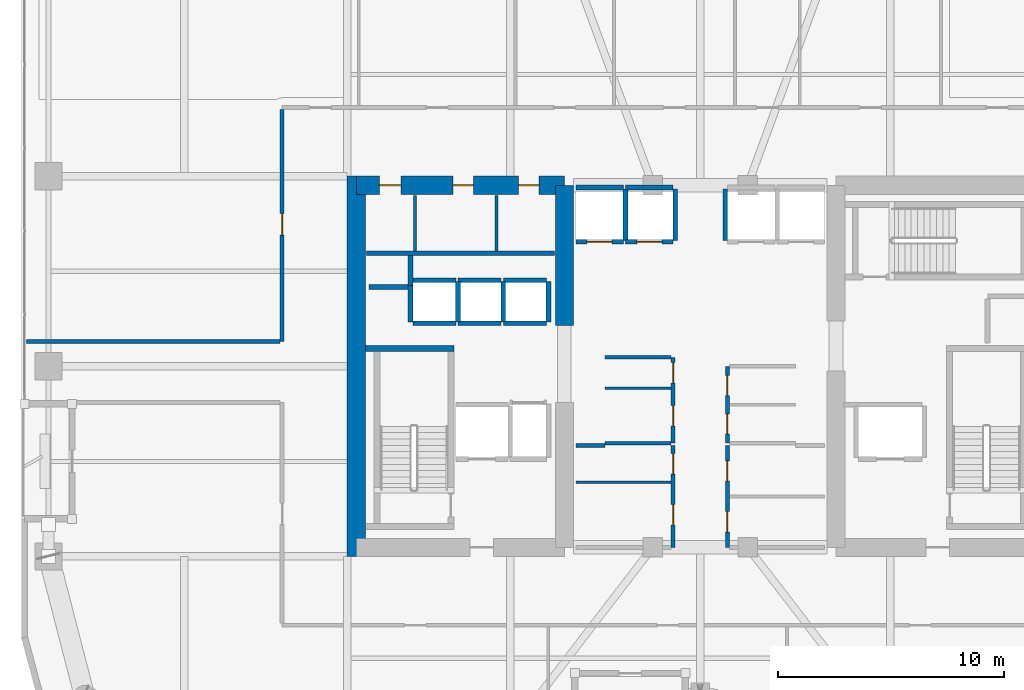
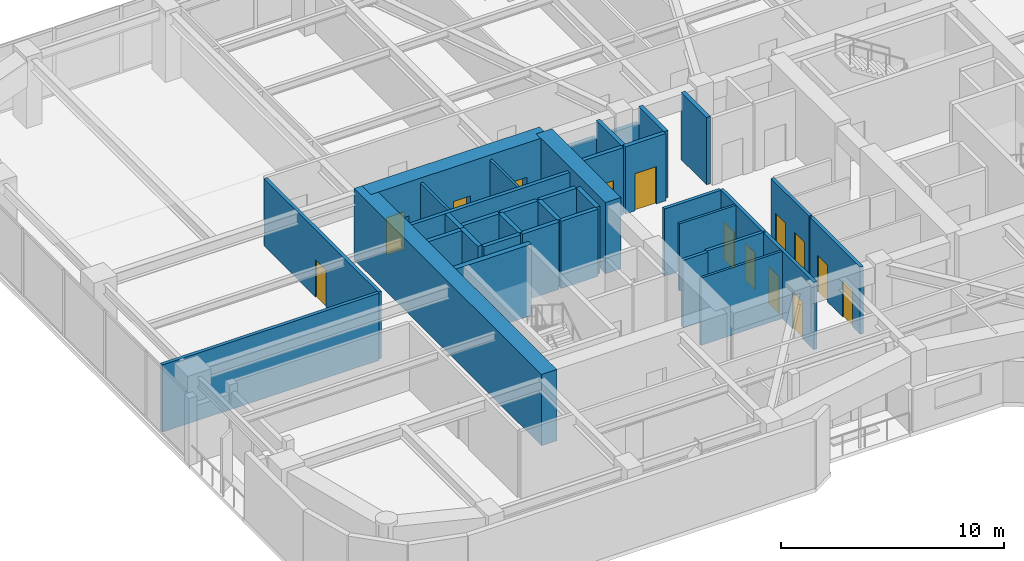
# One storey, part 25 of 30: 37 walls, 14 doors, 14 openings.
"""IFC4 building model written with IfcOpenShell, lengths in metres."""

from ifc_helpers import new_model, si_unit, direction, frame, frame_2d, origin, place, context, subcontext, project, spatial, rectangle, extrude, material, layer, layer_set, type_object, element, fill, save


model = new_model("IFC4")

# Units and contexts
model_context = context("Model", 3, precision=1e-05, world=origin(), true_north=direction((0.0, 1.0)))
body_context = subcontext(model_context, "Body", "Model", "MODEL_VIEW")
ifc_project = project(units=[si_unit("LENGTHUNIT", "METRE"), si_unit("AREAUNIT", "SQUARE_METRE"), si_unit("VOLUMEUNIT", "CUBIC_METRE"), si_unit("PLANEANGLEUNIT", "RADIAN"), si_unit("MASSUNIT", "GRAM", prefix="KILO")], contexts=[model_context])

# Site, building, storey
site_placement = place(None, origin())
site = spatial("IfcSite", under=ifc_project, at=site_placement, CompositionType="ELEMENT")
building_placement = place(site_placement, origin())
building = spatial("IfcBuilding", under=site, at=building_placement, Name="Kiyonajd Concourse Tower", CompositionType="ELEMENT")
storey_placement = place(building_placement, frame((0.0, 0.0, 174.0)))
storey = spatial("IfcBuildingStorey", under=building, at=storey_placement, Name="L44", CompositionType="ELEMENT", Elevation=174.0)

# Walls
ifc_material_1 = material(Name="Concrete C70/85", Category="concrete")
ifc_layer_1 = layer(ifc_material_1, 0.800048828125)
ifc_layer_set_1 = layer_set([ifc_layer_1], Name="Concrete C70/85")
wall_type_1 = type_object("IfcWallType", Name="WL-CORE-800", PredefinedType="SHEAR", material=ifc_layer_set_1)
wall_1_placement = place(storey_placement, frame((32.800048828125, 27.60009765625, 0.0), z_axis=(0.0, 0.0, 1.0), x_axis=(0.0, 1.0, 0.0)))
element("IfcWall", 1, at=wall_1_placement, inside=storey, type_object=wall_type_1, Name="L44 West Core Outer Shear Wall", PredefinedType="SHEAR", context=body_context, shape_type="SweptSolid", body=[
    extrude(rectangle(XDim=16.7998046875, YDim=0.800048828125, at=frame_2d((8.39990234375, 0.0))), origin(), (0.0, 0.0, 1.0), 3.89990234375),
])
wall_2_placement = place(storey_placement, frame((42.0, 37.800048828125, 0.0), z_axis=(0.0, 0.0, 1.0), x_axis=(0.0, 1.0, 0.0)))
element("IfcWall", 2, at=wall_2_placement, inside=storey, type_object=wall_type_1, Name="L44 West Core Inner North Shear Wall", PredefinedType="SHEAR", context=body_context, shape_type="SweptSolid", body=[
    extrude(rectangle(XDim=6.199951171875, YDim=0.800048828125, at=frame_2d((3.10009765625, 0.0))), origin(), (0.0, 0.0, 1.0), 3.89990234375),
])

# Wall, openings, doors
wall_3_placement = place(storey_placement, frame((32.800048828125, 44.0, 0.0), z_axis=(0.0, 0.0, 1.0), x_axis=(1.0, 0.0, 0.0)))
wall_3 = element("IfcWall", 3, at=wall_3_placement, inside=storey, type_object=wall_type_1, Name="L44 West Core North Shear Wall", PredefinedType="SHEAR", context=body_context, shape_type="SweptSolid", body=[
    extrude(rectangle(XDim=9.199951171875, YDim=0.800048828125, at=frame_2d((4.60009765625, 0.0))), origin(), (0.0, 0.0, 1.0), 3.89990234375),
])
opening_1_placement = place(wall_3_placement, frame((1.02490234375, 0.0, 0.0)))
opening_1 = element("IfcOpeningElement", 4, at=opening_1_placement, cuts=wall_3, Name="Opening DI1", PredefinedType="OPENING", context=body_context, shape_type="SweptSolid", body=[
    extrude(rectangle(XDim=0.949951171875, YDim=2.0400390625, at=frame_2d((0.47509765625, 1.02001953125))), frame((0.0, 0.409912109375, 0.0), z_axis=(0.0, -1.0, 0.0), x_axis=(1.0, 0.0, 0.0)), (0.0, 0.0, 1.0), 0.820068359375),
])
opening_2_placement = place(wall_3_placement, frame((4.27490234375, 0.0, 0.0)))
opening_2 = element("IfcOpeningElement", 5, at=opening_2_placement, cuts=wall_3, Name="Opening DI2", PredefinedType="OPENING", context=body_context, shape_type="SweptSolid", body=[
    extrude(rectangle(XDim=0.89990234375, YDim=2.02001953125, at=frame_2d((0.449951171875, 1.010009765625))), frame((0.0, 0.409912109375, 0.0), z_axis=(0.0, -1.0, 0.0), x_axis=(1.0, 0.0, 0.0)), (0.0, 0.0, 1.0), 0.820068359375),
])
opening_3_placement = place(wall_3_placement, frame((7.175048828125, 0.0, 0.0)))
opening_3 = element("IfcOpeningElement", 6, at=opening_3_placement, cuts=wall_3, Name="Opening DI2", PredefinedType="OPENING", context=body_context, shape_type="SweptSolid", body=[
    extrude(rectangle(XDim=0.89990234375, YDim=2.02001953125, at=frame_2d((0.449951171875, 1.010009765625))), frame((0.0, 0.409912109375, 0.0), z_axis=(0.0, -1.0, 0.0), x_axis=(1.0, 0.0, 0.0)), (0.0, 0.0, 1.0), 0.820068359375),
])
ifc_material_2 = material(Name="Natural Oak Acoustic Timber Veneer", Category="wood")
door_type_1 = type_object("IfcDoorType", Name="DR-INT-900", OperationType="NOTDEFINED", PredefinedType="DOOR", material=ifc_material_2)
door_1_placement = place(opening_2_placement, origin())
door_1 = element("IfcDoor", 7, at=door_1_placement, inside=storey, type_object=door_type_1, Name="L44 Male Restroom Door", OperationType="SINGLE_SWING_RIGHT", OverallHeight=2.02001953125, OverallWidth=0.89990234375, PredefinedType="DOOR", context=body_context, shape_type="SweptSolid", body=[
    extrude(rectangle(XDim=0.89990234375, YDim=2.02001953125, at=frame_2d((0.449951171875, 1.010009765625))), frame((0.0, 0.02490234375, 0.0), z_axis=(0.0, -1.0, 0.0), x_axis=(1.0, 0.0, 0.0)), (0.0, 0.0, 1.0), 0.050048828125),
])
fill(opening_2, door_1)
door_2_placement = place(opening_3_placement, origin())
door_2 = element("IfcDoor", 8, at=door_2_placement, inside=storey, type_object=door_type_1, Name="L44 Female Restroom Door", OperationType="SINGLE_SWING_LEFT", OverallHeight=2.02001953125, OverallWidth=0.89990234375, PredefinedType="DOOR", context=body_context, shape_type="SweptSolid", body=[
    extrude(rectangle(XDim=0.89990234375, YDim=2.02001953125, at=frame_2d((0.449951171875, 1.010009765625))), frame((0.0, 0.02490234375, 0.0), z_axis=(0.0, -1.0, 0.0), x_axis=(1.0, 0.0, 0.0)), (0.0, 0.0, 1.0), 0.050048828125),
])
fill(opening_3, door_2)
door_type_2 = type_object("IfcDoorType", Name="DR-INT-950", OperationType="NOTDEFINED", PredefinedType="DOOR", material=ifc_material_2)
door_3_placement = place(opening_1_placement, origin())
door_3 = element("IfcDoor", 9, at=door_3_placement, inside=storey, type_object=door_type_2, Name="L44 Single User Accessible WC Door", OperationType="SINGLE_SWING_LEFT", OverallHeight=2.0400390625, OverallWidth=0.949951171875, PredefinedType="DOOR", context=body_context, shape_type="SweptSolid", body=[
    extrude(rectangle(XDim=0.949951171875, YDim=2.0400390625, at=frame_2d((0.47509765625, 1.02001953125))), frame((0.0, 0.02490234375, 0.0), z_axis=(0.0, -1.0, 0.0), x_axis=(1.0, 0.0, 0.0)), (0.0, 0.0, 1.0), 0.050048828125),
])
fill(opening_1, door_3)

# Walls
ifc_material_3 = material(Name="Gypsum Board on Cold-Formed Steel Stud", Category="steel")
ifc_layer_2 = layer(ifc_material_3, 0.125)
ifc_layer_set_2 = layer_set([ifc_layer_2], Name="Gypsum Board on Cold-Formed Steel Stud")
wall_type_2 = type_object("IfcWallType", Name="WL-PART-125", PredefinedType="PARTITIONING", material=ifc_layer_set_2)
for number, where, z_axis, x_axis, name in (
    (10, (35.39990234375, 41.094970703125, 0.0), (0.0, 0.0, 1.0), (0.0, 1.0, 0.0), "L44 Interior Partition Wall"),
    (11, (39.0, 41.094970703125, 0.0), (0.0, 0.0, 1.0), (0.0, 1.0, 0.0), "L44 Interior Partition Wall"),
):
    element("IfcWall", number, at=place(storey_placement, frame(where, z_axis=z_axis, x_axis=x_axis)), inside=storey, type_object=wall_type_2, Name=name, PredefinedType="PARTITIONING", context=body_context, shape_type="SweptSolid", body=[
        extrude(rectangle(XDim=2.455078125, YDim=0.125, at=frame_2d((1.2275390625, 0.0))), origin(), (0.0, 0.0, 1.0), 3.679931640625),
    ])
wall_4_placement = place(storey_placement, frame((43.800048828125, 35.031982421875, 0.0), z_axis=(0.0, 0.0, 1.0), x_axis=(1.0, 0.0, 0.0)))
element("IfcWall", 12, at=wall_4_placement, inside=storey, type_object=wall_type_2, Name="L44 Interior Partition Wall", PredefinedType="PARTITIONING", context=body_context, shape_type="SweptSolid", body=[
    extrude(rectangle(XDim=2.912841796875, YDim=0.125, at=frame_2d((1.45654296875, 0.0))), origin(), (0.0, 0.0, 1.0), 3.679931640625),
])
wall_5_placement = place(storey_placement, frame((42.5, 30.8798828125, 0.0), z_axis=(0.0, 0.0, 1.0), x_axis=(1.0, 0.0, 0.0)))
element("IfcWall", 13, at=wall_5_placement, inside=storey, type_object=wall_type_2, Name="L44 Interior Partition Wall", PredefinedType="PARTITIONING", context=body_context, shape_type="SweptSolid", body=[
    extrude(rectangle(XDim=4.212890625, YDim=0.125, at=frame_2d((2.1064453125, 0.0))), origin(), (0.0, 0.0, 1.0), 3.679931640625),
])
ifc_layer_3 = layer(ifc_material_3, 0.18994140625)
ifc_layer_set_3 = layer_set([ifc_layer_3], Name="Gypsum Board on Cold-Formed Steel Stud")
wall_type_3 = type_object("IfcWallType", Name="WL-PLMB-190", PredefinedType="PLUMBINGWALL", material=ifc_layer_set_3)
wall_6_placement = place(storey_placement, frame((33.25, 41.0, 0.0), z_axis=(0.0, 0.0, 1.0), x_axis=(1.0, 0.0, 0.0)))
element("IfcWall", 14, at=wall_6_placement, inside=storey, type_object=wall_type_3, Name="L44 Interior Partition Wall", PredefinedType="PLUMBINGWALL", context=body_context, shape_type="SweptSolid", body=[
    extrude(rectangle(XDim=8.300048828125, YDim=0.18994140625, at=frame_2d((4.14990234375, 0.0))), origin(), (0.0, 0.0, 1.0), 3.679931640625),
])
ifc_layer_4 = layer(ifc_material_3, 0.2099609375)
ifc_layer_set_4 = layer_set([ifc_layer_4], Name="Gypsum Board on Cold-Formed Steel Stud")
wall_type_4 = type_object("IfcWallType", Name="WL-SHAFT-210", PredefinedType="PARTITIONING", material=ifc_layer_set_4)
wall_7_placement = place(storey_placement, frame((33.360107421875, 39.5, 0.0), z_axis=(0.0, 0.0, 1.0), x_axis=(1.0, 0.0, 0.0)))
element("IfcWall", 15, at=wall_7_placement, inside=storey, type_object=wall_type_4, Name="L44 Shaft Enclosure Wall", PredefinedType="PARTITIONING", context=body_context, shape_type="SweptSolid", body=[
    extrude(rectangle(XDim=1.85986328125, YDim=0.2099609375, at=frame_2d((0.929931640625, 0.0))), origin(), (0.0, 0.0, 1.0), 3.679931640625),
])
wall_8_placement = place(storey_placement, frame((35.199951171875, 39.580078125, 0.0), z_axis=(0.0, 0.0, 1.0), x_axis=(0.0, 1.0, 0.0)))
element("IfcWall", 16, at=wall_8_placement, inside=storey, type_object=wall_type_4, Name="L44 Shaft Enclosure Wall", PredefinedType="PARTITIONING", context=body_context, shape_type="SweptSolid", body=[
    extrude(rectangle(XDim=1.31982421875, YDim=0.2099609375, at=frame_2d((0.659912109375, 0.0))), origin(), (0.0, 0.0, 1.0), 3.679931640625),
])

# Wall, opening, door
wall_9_placement = place(storey_placement, frame((42.5, 41.5, 0.0), z_axis=(0.0, 0.0, 1.0), x_axis=(1.0, 0.0, 0.0)))
wall_9 = element("IfcWall", 17, at=wall_9_placement, inside=storey, type_object=wall_type_4, Name="L44 Shaft Enclosure Wall", PredefinedType="PARTITIONING", context=body_context, shape_type="SweptSolid", body=[
    extrude(rectangle(XDim=2.10009765625, YDim=0.2099609375, at=frame_2d((1.050048828125, 0.0))), origin(), (0.0, 0.0, 1.0), 3.679931640625),
])
opening_4_placement = place(wall_9_placement, frame((0.5, 0.0, 0.0)))
opening_4 = element("IfcOpeningElement", 18, at=opening_4_placement, cuts=wall_9, Name="Opening LD1", PredefinedType="OPENING", context=body_context, shape_type="SweptSolid", body=[
    extrude(rectangle(XDim=1.10009765625, YDim=2.0400390625, at=frame_2d((0.550048828125, 1.02001953125))), frame((0.0, 0.114990234375, 0.0), z_axis=(0.0, -1.0, 0.0), x_axis=(1.0, 0.0, 0.0)), (0.0, 0.0, 1.0), 0.22998046875),
])
ifc_material_4 = material(Name="Brushed Stainless Steel Cab Assembly", Category="steel")
door_type_3 = type_object("IfcDoorType", Name="DR-LD-1100", OperationType="DOUBLE_DOOR_SLIDING", PredefinedType="DOOR", material=ifc_material_4)
door_4_placement = place(opening_4_placement, origin())
door_4 = element("IfcDoor", 19, at=door_4_placement, inside=storey, type_object=door_type_3, Name="L44 Lift PL-M1 Sliding Landing Door", OperationType="DOUBLE_DOOR_SLIDING", OverallHeight=2.0400390625, OverallWidth=1.10009765625, PredefinedType="DOOR", context=body_context, shape_type="SweptSolid", body=[
    extrude(rectangle(XDim=1.10009765625, YDim=2.0400390625, at=frame_2d((0.550048828125, 1.02001953125))), frame((0.0, 0.02490234375, 0.0), z_axis=(0.0, -1.0, 0.0), x_axis=(1.0, 0.0, 0.0)), (0.0, 0.0, 1.0), 0.050048828125),
])
fill(opening_4, door_4)

# Walls
wall_10_placement = place(storey_placement, frame((42.5, 43.89990234375, 0.0), z_axis=(0.0, 0.0, 1.0), x_axis=(1.0, 0.0, 0.0)))
element("IfcWall", 20, at=wall_10_placement, inside=storey, type_object=wall_type_4, Name="L44 Shaft Enclosure Wall", PredefinedType="PARTITIONING", context=body_context, shape_type="SweptSolid", body=[
    extrude(rectangle(XDim=2.10009765625, YDim=0.2099609375, at=frame_2d((1.050048828125, 0.0))), origin(), (0.0, 0.0, 1.0), 2.764892578125),
])
wall_11_placement = place(storey_placement, frame((44.699951171875, 41.56005859375, 0.0), z_axis=(0.0, 0.0, 1.0), x_axis=(0.0, 1.0, 0.0)))
element("IfcWall", 21, at=wall_11_placement, inside=storey, type_object=wall_type_4, Name="L44 Shaft Enclosure Wall", PredefinedType="PARTITIONING", context=body_context, shape_type="SweptSolid", body=[
    extrude(rectangle(XDim=2.280029296875, YDim=0.2099609375, at=frame_2d((1.14013671875, 0.0))), origin(), (0.0, 0.0, 1.0), 3.679931640625),
])

# Wall, opening, door
wall_12_placement = place(storey_placement, frame((44.699951171875, 41.5, 0.0), z_axis=(0.0, 0.0, 1.0), x_axis=(1.0, 0.0, 0.0)))
wall_12 = element("IfcWall", 22, at=wall_12_placement, inside=storey, type_object=wall_type_4, Name="L44 Shaft Enclosure Wall", PredefinedType="PARTITIONING", context=body_context, shape_type="SweptSolid", body=[
    extrude(rectangle(XDim=2.10009765625, YDim=0.2099609375, at=frame_2d((1.050048828125, 0.0))), origin(), (0.0, 0.0, 1.0), 3.679931640625),
])
opening_5_placement = place(wall_12_placement, frame((0.5, 0.0, 0.0)))
opening_5 = element("IfcOpeningElement", 23, at=opening_5_placement, cuts=wall_12, Name="Opening LD1", PredefinedType="OPENING", context=body_context, shape_type="SweptSolid", body=[
    extrude(rectangle(XDim=1.10009765625, YDim=2.0400390625, at=frame_2d((0.550048828125, 1.02001953125))), frame((0.0, 0.114990234375, 0.0), z_axis=(0.0, -1.0, 0.0), x_axis=(1.0, 0.0, 0.0)), (0.0, 0.0, 1.0), 0.22998046875),
])
door_5_placement = place(opening_5_placement, origin())
door_5 = element("IfcDoor", 24, at=door_5_placement, inside=storey, type_object=door_type_3, Name="L44 Lift PL-M2 Sliding Landing Door", OperationType="DOUBLE_DOOR_SLIDING", OverallHeight=2.0400390625, OverallWidth=1.10009765625, PredefinedType="DOOR", context=body_context, shape_type="SweptSolid", body=[
    extrude(rectangle(XDim=1.10009765625, YDim=2.0400390625, at=frame_2d((0.550048828125, 1.02001953125))), frame((0.0, 0.02490234375, 0.0), z_axis=(0.0, -1.0, 0.0), x_axis=(1.0, 0.0, 0.0)), (0.0, 0.0, 1.0), 0.050048828125),
])
fill(opening_5, door_5)

# Walls
wall_13_placement = place(storey_placement, frame((44.699951171875, 43.89990234375, 0.0), z_axis=(0.0, 0.0, 1.0), x_axis=(1.0, 0.0, 0.0)))
element("IfcWall", 25, at=wall_13_placement, inside=storey, type_object=wall_type_4, Name="L44 Shaft Enclosure Wall", PredefinedType="PARTITIONING", context=body_context, shape_type="SweptSolid", body=[
    extrude(rectangle(XDim=2.10009765625, YDim=0.2099609375, at=frame_2d((1.050048828125, 0.0))), origin(), (0.0, 0.0, 1.0), 2.764892578125),
])
for number, where, z_axis, x_axis, name in (
    (26, (46.89990234375, 41.56005859375, 0.0), (0.0, 0.0, 1.0), (0.0, 1.0, 0.0), "L44 Shaft Enclosure Wall"),
    (27, (49.10009765625, 41.56005859375, 0.0), (0.0, 0.0, 1.0), (0.0, 1.0, 0.0), "L44 Shaft Enclosure Wall"),
):
    element("IfcWall", number, at=place(storey_placement, frame(where, z_axis=z_axis, x_axis=x_axis)), inside=storey, type_object=wall_type_4, Name=name, PredefinedType="PARTITIONING", context=body_context, shape_type="SweptSolid", body=[
        extrude(rectangle(XDim=2.280029296875, YDim=0.2099609375, at=frame_2d((1.14013671875, 0.0))), origin(), (0.0, 0.0, 1.0), 3.679931640625),
    ])
for number, where, z_axis, x_axis, name in (
    (28, (35.300048828125, 37.89990234375, 0.0), (0.0, 0.0, 1.0), (1.0, 0.0, 0.0), "L44 Shaft Enclosure Wall"),
    (29, (35.300048828125, 39.800048828125, 0.0), (0.0, 0.0, 1.0), (1.0, 0.0, 0.0), "L44 Shaft Enclosure Wall"),
):
    element("IfcWall", number, at=place(storey_placement, frame(where, z_axis=z_axis, x_axis=x_axis)), inside=storey, type_object=wall_type_4, Name=name, PredefinedType="PARTITIONING", context=body_context, shape_type="SweptSolid", body=[
        extrude(rectangle(XDim=1.89990234375, YDim=0.2099609375, at=frame_2d((0.949951171875, 0.0))), origin(), (0.0, 0.0, 1.0), 3.679931640625),
    ])
wall_14_placement = place(storey_placement, frame((35.199951171875, 37.9599609375, 0.0), z_axis=(0.0, 0.0, 1.0), x_axis=(0.0, 1.0, 0.0)))
element("IfcWall", 30, at=wall_14_placement, inside=storey, type_object=wall_type_4, Name="L44 Shaft Enclosure Wall", PredefinedType="PARTITIONING", context=body_context, shape_type="SweptSolid", body=[
    extrude(rectangle(XDim=1.6201171875, YDim=0.2099609375, at=frame_2d((0.81005859375, 0.0))), origin(), (0.0, 0.0, 1.0), 3.679931640625),
])
wall_15_placement = place(storey_placement, frame((37.300048828125, 37.9599609375, 0.0), z_axis=(0.0, 0.0, 1.0), x_axis=(0.0, 1.0, 0.0)))
element("IfcWall", 31, at=wall_15_placement, inside=storey, type_object=wall_type_4, Name="L44 Shaft Enclosure Wall", PredefinedType="PARTITIONING", context=body_context, shape_type="SweptSolid", body=[
    extrude(rectangle(XDim=1.780029296875, YDim=0.2099609375, at=frame_2d((0.89013671875, 0.0))), origin(), (0.0, 0.0, 1.0), 3.679931640625),
])
for number, where, z_axis, x_axis, name in (
    (32, (37.300048828125, 37.89990234375, 0.0), (0.0, 0.0, 1.0), (1.0, 0.0, 0.0), "L44 Shaft Enclosure Wall"),
    (33, (37.300048828125, 39.800048828125, 0.0), (0.0, 0.0, 1.0), (1.0, 0.0, 0.0), "L44 Shaft Enclosure Wall"),
):
    element("IfcWall", number, at=place(storey_placement, frame(where, z_axis=z_axis, x_axis=x_axis)), inside=storey, type_object=wall_type_4, Name=name, PredefinedType="PARTITIONING", context=body_context, shape_type="SweptSolid", body=[
        extrude(rectangle(XDim=1.89990234375, YDim=0.2099609375, at=frame_2d((0.949951171875, 0.0))), origin(), (0.0, 0.0, 1.0), 3.679931640625),
    ])
wall_16_placement = place(storey_placement, frame((39.300048828125, 37.9599609375, 0.0), z_axis=(0.0, 0.0, 1.0), x_axis=(0.0, 1.0, 0.0)))
element("IfcWall", 34, at=wall_16_placement, inside=storey, type_object=wall_type_4, Name="L44 Shaft Enclosure Wall", PredefinedType="PARTITIONING", context=body_context, shape_type="SweptSolid", body=[
    extrude(rectangle(XDim=1.780029296875, YDim=0.2099609375, at=frame_2d((0.89013671875, 0.0))), origin(), (0.0, 0.0, 1.0), 3.679931640625),
])
for number, where, z_axis, x_axis, name in (
    (35, (39.300048828125, 37.89990234375, 0.0), (0.0, 0.0, 1.0), (1.0, 0.0, 0.0), "L44 Shaft Enclosure Wall"),
    (36, (39.300048828125, 39.800048828125, 0.0), (0.0, 0.0, 1.0), (1.0, 0.0, 0.0), "L44 Shaft Enclosure Wall"),
):
    element("IfcWall", number, at=place(storey_placement, frame(where, z_axis=z_axis, x_axis=x_axis)), inside=storey, type_object=wall_type_4, Name=name, PredefinedType="PARTITIONING", context=body_context, shape_type="SweptSolid", body=[
        extrude(rectangle(XDim=1.89990234375, YDim=0.2099609375, at=frame_2d((0.949951171875, 0.0))), origin(), (0.0, 0.0, 1.0), 3.679931640625),
    ])
wall_17_placement = place(storey_placement, frame((41.300048828125, 37.9599609375, 0.0), z_axis=(0.0, 0.0, 1.0), x_axis=(0.0, 1.0, 0.0)))
element("IfcWall", 37, at=wall_17_placement, inside=storey, type_object=wall_type_4, Name="L44 Shaft Enclosure Wall", PredefinedType="PARTITIONING", context=body_context, shape_type="SweptSolid", body=[
    extrude(rectangle(XDim=1.780029296875, YDim=0.2099609375, at=frame_2d((0.89013671875, 0.0))), origin(), (0.0, 0.0, 1.0), 3.679931640625),
])

# Wall, openings, doors
ifc_layer_5 = layer(ifc_material_3, 0.169921875)
ifc_layer_set_5 = layer_set([ifc_layer_5], Name="Gypsum Board on Cold-Formed Steel Stud")
wall_type_5 = type_object("IfcWallType", Name="WL-SMK-170", PredefinedType="PARTITIONING", material=ifc_layer_set_5)
wall_18_placement = place(storey_placement, frame((46.800048828125, 32.60009765625, 0.0), z_axis=(0.0, 0.0, 1.0), x_axis=(0.0, 1.0, 0.0)))
wall_18 = element("IfcWall", 38, at=wall_18_placement, inside=storey, type_object=wall_type_5, Name="L44 Interior Partition Wall", PredefinedType="PARTITIONING", context=body_context, shape_type="SweptSolid", body=[
    extrude(rectangle(XDim=3.7998046875, YDim=0.169921875, at=frame_2d((1.89990234375, 0.0))), origin(), (0.0, 0.0, 1.0), 3.679931640625),
])
opening_6_placement = place(wall_18_placement, frame((0.76611328125, 0.0, 0.0)))
opening_6 = element("IfcOpeningElement", 39, at=opening_6_placement, cuts=wall_18, Name="Opening DF4", PredefinedType="OPENING", context=body_context, shape_type="SweptSolid", body=[
    extrude(rectangle(XDim=0.89990234375, YDim=2.02001953125, at=frame_2d((0.449951171875, 1.010009765625))), frame((0.0, 0.094970703125, 0.0), z_axis=(0.0, -1.0, 0.0), x_axis=(1.0, 0.0, 0.0)), (0.0, 0.0, 1.0), 0.18994140625),
])
opening_7_placement = place(wall_18_placement, frame((2.666015625, 0.0, 0.0)))
opening_7 = element("IfcOpeningElement", 40, at=opening_7_placement, cuts=wall_18, Name="Opening DF4", PredefinedType="OPENING", context=body_context, shape_type="SweptSolid", body=[
    extrude(rectangle(XDim=0.89990234375, YDim=2.02001953125, at=frame_2d((0.449951171875, 1.010009765625))), frame((0.0, 0.094970703125, 0.0), z_axis=(0.0, -1.0, 0.0), x_axis=(1.0, 0.0, 0.0)), (0.0, 0.0, 1.0), 0.18994140625),
])
door_type_4 = type_object("IfcDoorType", Name="DR-FD60-900", OperationType="NOTDEFINED", PredefinedType="DOOR", material=ifc_material_4)
door_6_placement = place(opening_6_placement, origin())
door_6 = element("IfcDoor", 41, at=door_6_placement, inside=storey, type_object=door_type_4, Name="L44 Interior Door", OperationType="SINGLE_SWING_RIGHT", OverallHeight=2.02001953125, OverallWidth=0.89990234375, PredefinedType="DOOR", context=body_context, shape_type="SweptSolid", body=[
    extrude(rectangle(XDim=0.89990234375, YDim=2.02001953125, at=frame_2d((0.449951171875, 1.010009765625))), frame((0.0, 0.02490234375, 0.0), z_axis=(0.0, -1.0, 0.0), x_axis=(1.0, 0.0, 0.0)), (0.0, 0.0, 1.0), 0.050048828125),
])
fill(opening_6, door_6)
door_7_placement = place(opening_7_placement, origin())
door_7 = element("IfcDoor", 42, at=door_7_placement, inside=storey, type_object=door_type_4, Name="L44 Interior Door", OperationType="SINGLE_SWING_LEFT", OverallHeight=2.02001953125, OverallWidth=0.89990234375, PredefinedType="DOOR", context=body_context, shape_type="SweptSolid", body=[
    extrude(rectangle(XDim=0.89990234375, YDim=2.02001953125, at=frame_2d((0.449951171875, 1.010009765625))), frame((0.0, 0.02490234375, 0.0), z_axis=(0.0, -1.0, 0.0), x_axis=(1.0, 0.0, 0.0)), (0.0, 0.0, 1.0), 0.050048828125),
])
fill(opening_7, door_7)

# Walls
for number, where, z_axis, x_axis, name in (
    (43, (43.800048828125, 32.60009765625, 0.0), (0.0, 0.0, 1.0), (1.0, 0.0, 0.0), "L44 Interior Partition Wall"),
    (44, (43.800048828125, 36.39990234375, 0.0), (0.0, 0.0, 1.0), (1.0, 0.0, 0.0), "L44 Interior Partition Wall"),
):
    element("IfcWall", number, at=place(storey_placement, frame(where, z_axis=z_axis, x_axis=x_axis)), inside=storey, type_object=wall_type_5, Name=name, PredefinedType="PARTITIONING", context=body_context, shape_type="SweptSolid", body=[
        extrude(rectangle(XDim=2.912841796875, YDim=0.169921875, at=frame_2d((1.45654296875, 0.0))), origin(), (0.0, 0.0, 1.0), 3.679931640625),
    ])

# Wall, openings, doors
wall_19_placement = place(storey_placement, frame((49.199951171875, 32.60009765625, 0.0), z_axis=(0.0, 0.0, 1.0), x_axis=(0.0, 1.0, 0.0)))
wall_19 = element("IfcWall", 45, at=wall_19_placement, inside=storey, type_object=wall_type_5, Name="L44 Interior Partition Wall", PredefinedType="PARTITIONING", context=body_context, shape_type="SweptSolid", body=[
    extrude(rectangle(XDim=3.39990234375, YDim=0.169921875, at=frame_2d((1.699951171875, 0.0))), origin(), (0.0, 0.0, 1.0), 3.679931640625),
])
opening_8_placement = place(wall_19_placement, frame((0.39990234375, 0.0, 0.0)))
opening_8 = element("IfcOpeningElement", 46, at=opening_8_placement, cuts=wall_19, Name="Opening DI2", PredefinedType="OPENING", context=body_context, shape_type="SweptSolid", body=[
    extrude(rectangle(XDim=0.89990234375, YDim=2.02001953125, at=frame_2d((0.449951171875, 1.010009765625))), frame((0.0, 0.094970703125, 0.0), z_axis=(0.0, -1.0, 0.0), x_axis=(1.0, 0.0, 0.0)), (0.0, 0.0, 1.0), 0.18994140625),
])
opening_9_placement = place(wall_19_placement, frame((2.10009765625, 0.0, 0.0)))
opening_9 = element("IfcOpeningElement", 47, at=opening_9_placement, cuts=wall_19, Name="Opening DI2", PredefinedType="OPENING", context=body_context, shape_type="SweptSolid", body=[
    extrude(rectangle(XDim=0.89990234375, YDim=2.02001953125, at=frame_2d((0.449951171875, 1.010009765625))), frame((0.0, 0.094970703125, 0.0), z_axis=(0.0, -1.0, 0.0), x_axis=(1.0, 0.0, 0.0)), (0.0, 0.0, 1.0), 0.18994140625),
])
door_8_placement = place(opening_8_placement, origin())
door_8 = element("IfcDoor", 48, at=door_8_placement, inside=storey, type_object=door_type_1, Name="L44 Interior Door", OperationType="SINGLE_SWING_RIGHT", OverallHeight=2.02001953125, OverallWidth=0.89990234375, PredefinedType="DOOR", context=body_context, shape_type="SweptSolid", body=[
    extrude(rectangle(XDim=0.89990234375, YDim=2.02001953125, at=frame_2d((0.449951171875, 1.010009765625))), frame((0.0, 0.02490234375, 0.0), z_axis=(0.0, -1.0, 0.0), x_axis=(1.0, 0.0, 0.0)), (0.0, 0.0, 1.0), 0.050048828125),
])
fill(opening_8, door_8)
door_9_placement = place(opening_9_placement, origin())
door_9 = element("IfcDoor", 49, at=door_9_placement, inside=storey, type_object=door_type_1, Name="L44 Interior Door", OperationType="SINGLE_SWING_LEFT", OverallHeight=2.02001953125, OverallWidth=0.89990234375, PredefinedType="DOOR", context=body_context, shape_type="SweptSolid", body=[
    extrude(rectangle(XDim=0.89990234375, YDim=2.02001953125, at=frame_2d((0.449951171875, 1.010009765625))), frame((0.0, 0.02490234375, 0.0), z_axis=(0.0, -1.0, 0.0), x_axis=(1.0, 0.0, 0.0)), (0.0, 0.0, 1.0), 0.050048828125),
])
fill(opening_9, door_9)

wall_20_placement = place(storey_placement, frame((46.800048828125, 28.0, 0.0), z_axis=(0.0, 0.0, 1.0), x_axis=(0.0, 1.0, 0.0)))
wall_20 = element("IfcWall", 50, at=wall_20_placement, inside=storey, type_object=wall_type_5, Name="L44 Interior Partition Wall", PredefinedType="PARTITIONING", context=body_context, shape_type="SweptSolid", body=[
    extrude(rectangle(XDim=4.5, YDim=0.169921875, at=frame_2d((2.25, 0.0))), origin(), (0.0, 0.0, 1.0), 3.679931640625),
])
opening_10_placement = place(wall_20_placement, frame((0.989990234375, 0.0, 0.0)))
opening_10 = element("IfcOpeningElement", 51, at=opening_10_placement, cuts=wall_20, Name="Opening DF4", PredefinedType="OPENING", context=body_context, shape_type="SweptSolid", body=[
    extrude(rectangle(XDim=0.89990234375, YDim=2.02001953125, at=frame_2d((0.449951171875, 1.010009765625))), frame((0.0, 0.094970703125, 0.0), z_axis=(0.0, -1.0, 0.0), x_axis=(1.0, 0.0, 0.0)), (0.0, 0.0, 1.0), 0.18994140625),
])
opening_11_placement = place(wall_20_placement, frame((3.239990234375, 0.0, 0.0)))
opening_11 = element("IfcOpeningElement", 52, at=opening_11_placement, cuts=wall_20, Name="Opening DF4", PredefinedType="OPENING", context=body_context, shape_type="SweptSolid", body=[
    extrude(rectangle(XDim=0.89990234375, YDim=2.02001953125, at=frame_2d((0.449951171875, 1.010009765625))), frame((0.0, 0.094970703125, 0.0), z_axis=(0.0, -1.0, 0.0), x_axis=(1.0, 0.0, 0.0)), (0.0, 0.0, 1.0), 0.18994140625),
])
door_10_placement = place(opening_10_placement, origin())
door_10 = element("IfcDoor", 53, at=door_10_placement, inside=storey, type_object=door_type_4, Name="L44 Interior Door", OperationType="SINGLE_SWING_RIGHT", OverallHeight=2.02001953125, OverallWidth=0.89990234375, PredefinedType="DOOR", context=body_context, shape_type="SweptSolid", body=[
    extrude(rectangle(XDim=0.89990234375, YDim=2.02001953125, at=frame_2d((0.449951171875, 1.010009765625))), frame((0.0, 0.02490234375, 0.0), z_axis=(0.0, -1.0, 0.0), x_axis=(1.0, 0.0, 0.0)), (0.0, 0.0, 1.0), 0.050048828125),
])
fill(opening_10, door_10)
door_11_placement = place(opening_11_placement, origin())
door_11 = element("IfcDoor", 54, at=door_11_placement, inside=storey, type_object=door_type_4, Name="L44 Interior Door", OperationType="SINGLE_SWING_LEFT", OverallHeight=2.02001953125, OverallWidth=0.89990234375, PredefinedType="DOOR", context=body_context, shape_type="SweptSolid", body=[
    extrude(rectangle(XDim=0.89990234375, YDim=2.02001953125, at=frame_2d((0.449951171875, 1.010009765625))), frame((0.0, 0.02490234375, 0.0), z_axis=(0.0, -1.0, 0.0), x_axis=(1.0, 0.0, 0.0)), (0.0, 0.0, 1.0), 0.050048828125),
])
fill(opening_11, door_11)

# Wall
wall_21_placement = place(storey_placement, frame((42.5, 32.5, 0.0), z_axis=(0.0, 0.0, 1.0), x_axis=(1.0, 0.0, 0.0)))
element("IfcWall", 55, at=wall_21_placement, inside=storey, type_object=wall_type_5, Name="L44 Interior Partition Wall", PredefinedType="PARTITIONING", context=body_context, shape_type="SweptSolid", body=[
    extrude(rectangle(XDim=1.300048828125, YDim=0.169921875, at=frame_2d((0.64990234375, 0.0))), origin(), (0.0, 0.0, 1.0), 3.679931640625),
])

# Wall, openings, doors
wall_22_placement = place(storey_placement, frame((49.199951171875, 28.0, 0.0), z_axis=(0.0, 0.0, 1.0), x_axis=(0.0, 1.0, 0.0)))
wall_22 = element("IfcWall", 56, at=wall_22_placement, inside=storey, type_object=wall_type_5, Name="L44 Interior Partition Wall", PredefinedType="PARTITIONING", context=body_context, shape_type="SweptSolid", body=[
    extrude(rectangle(XDim=4.5, YDim=0.169921875, at=frame_2d((2.25, 0.0))), origin(), (0.0, 0.0, 1.0), 3.679931640625),
])
opening_12_placement = place(wall_22_placement, frame((0.675048828125, 0.0, 0.0)))
opening_12 = element("IfcOpeningElement", 57, at=opening_12_placement, cuts=wall_22, Name="Opening DI2", PredefinedType="OPENING", context=body_context, shape_type="SweptSolid", body=[
    extrude(rectangle(XDim=0.89990234375, YDim=2.02001953125, at=frame_2d((0.449951171875, 1.010009765625))), frame((0.0, 0.094970703125, 0.0), z_axis=(0.0, -1.0, 0.0), x_axis=(1.0, 0.0, 0.0)), (0.0, 0.0, 1.0), 0.18994140625),
])
opening_13_placement = place(wall_22_placement, frame((2.925048828125, 0.0, 0.0)))
opening_13 = element("IfcOpeningElement", 58, at=opening_13_placement, cuts=wall_22, Name="Opening DI2", PredefinedType="OPENING", context=body_context, shape_type="SweptSolid", body=[
    extrude(rectangle(XDim=0.89990234375, YDim=2.02001953125, at=frame_2d((0.449951171875, 1.010009765625))), frame((0.0, 0.094970703125, 0.0), z_axis=(0.0, -1.0, 0.0), x_axis=(1.0, 0.0, 0.0)), (0.0, 0.0, 1.0), 0.18994140625),
])
door_12_placement = place(opening_12_placement, origin())
door_12 = element("IfcDoor", 59, at=door_12_placement, inside=storey, type_object=door_type_1, Name="L44 Interior Door", OperationType="SINGLE_SWING_RIGHT", OverallHeight=2.02001953125, OverallWidth=0.89990234375, PredefinedType="DOOR", context=body_context, shape_type="SweptSolid", body=[
    extrude(rectangle(XDim=0.89990234375, YDim=2.02001953125, at=frame_2d((0.449951171875, 1.010009765625))), frame((0.0, 0.02490234375, 0.0), z_axis=(0.0, -1.0, 0.0), x_axis=(1.0, 0.0, 0.0)), (0.0, 0.0, 1.0), 0.050048828125),
])
fill(opening_12, door_12)
door_13_placement = place(opening_13_placement, origin())
door_13 = element("IfcDoor", 60, at=door_13_placement, inside=storey, type_object=door_type_1, Name="L44 Interior Door", OperationType="SINGLE_SWING_LEFT", OverallHeight=2.02001953125, OverallWidth=0.89990234375, PredefinedType="DOOR", context=body_context, shape_type="SweptSolid", body=[
    extrude(rectangle(XDim=0.89990234375, YDim=2.02001953125, at=frame_2d((0.449951171875, 1.010009765625))), frame((0.0, 0.02490234375, 0.0), z_axis=(0.0, -1.0, 0.0), x_axis=(1.0, 0.0, 0.0)), (0.0, 0.0, 1.0), 0.050048828125),
])
fill(opening_13, door_13)

# Wall, opening, door
wall_23_placement = place(storey_placement, frame((29.52490234375, 37.10009765625, 0.0), z_axis=(0.0, 0.0, 1.0), x_axis=(0.0, 1.0, 0.0)))
wall_23 = element("IfcWall", 61, at=wall_23_placement, inside=storey, type_object=wall_type_5, Name="L44 Interior Partition Wall", PredefinedType="PARTITIONING", context=body_context, shape_type="SweptSolid", body=[
    extrude(rectangle(XDim=10.2529296875, YDim=0.169921875, at=frame_2d((5.12646484375, 0.0))), origin(), (0.0, 0.0, 1.0), 3.679931640625),
])
opening_14_placement = place(wall_23_placement, frame((4.695068359375, 0.0, 0.0)))
opening_14 = element("IfcOpeningElement", 62, at=opening_14_placement, cuts=wall_23, Name="Opening DI1", PredefinedType="OPENING", context=body_context, shape_type="SweptSolid", body=[
    extrude(rectangle(XDim=0.949951171875, YDim=2.0400390625, at=frame_2d((0.47509765625, 1.02001953125))), frame((0.0, 0.094970703125, 0.0), z_axis=(0.0, -1.0, 0.0), x_axis=(1.0, 0.0, 0.0)), (0.0, 0.0, 1.0), 0.18994140625),
])
door_14_placement = place(opening_14_placement, origin())
door_14 = element("IfcDoor", 63, at=door_14_placement, inside=storey, type_object=door_type_2, Name="L44 Interior Door", OperationType="SINGLE_SWING_LEFT", OverallHeight=2.0400390625, OverallWidth=0.949951171875, PredefinedType="DOOR", context=body_context, shape_type="SweptSolid", body=[
    extrude(rectangle(XDim=0.949951171875, YDim=2.0400390625, at=frame_2d((0.47509765625, 1.02001953125))), frame((0.0, 0.02490234375, 0.0), z_axis=(0.0, -1.0, 0.0), x_axis=(1.0, 0.0, 0.0)), (0.0, 0.0, 1.0), 0.050048828125),
])
fill(opening_14, door_14)

# Walls
wall_24_placement = place(storey_placement, frame((18.22509765625, 37.10009765625, 0.0), z_axis=(0.0, 0.0, 1.0), x_axis=(1.0, 0.0, 0.0)))
element("IfcWall", 64, at=wall_24_placement, inside=storey, type_object=wall_type_5, Name="L44 Interior Partition Wall", PredefinedType="PARTITIONING", context=body_context, shape_type="SweptSolid", body=[
    extrude(rectangle(XDim=11.212890625, YDim=0.169921875, at=frame_2d((5.6064453125, 0.0))), origin(), (0.0, 0.0, 1.0), 3.679931640625),
])
ifc_material_5 = material(Name="Concrete C50/60", Category="concrete")
ifc_layer_6 = layer(ifc_material_5, 0.260009765625)
ifc_layer_set_6 = layer_set([ifc_layer_6], Name="Concrete C50/60")
wall_type_6 = type_object("IfcWallType", Name="WL-STAIR-260", PredefinedType="SHEAR", material=ifc_layer_set_6)
wall_25_placement = place(storey_placement, frame((33.199951171875, 36.780029296875, 0.0), z_axis=(0.0, 0.0, 1.0), x_axis=(1.0, 0.0, 0.0)))
element("IfcWall", 65, at=wall_25_placement, inside=storey, type_object=wall_type_6, Name="L44 Stair ST1 Structural North Wall", PredefinedType="SHEAR", context=body_context, shape_type="SweptSolid", body=[
    extrude(rectangle(XDim=3.91015625, YDim=0.260009765625, at=frame_2d((1.955078125, 0.0))), origin(), (0.0, 0.0, 1.0), 3.89990234375),
])

save(model, "model.ifc")
